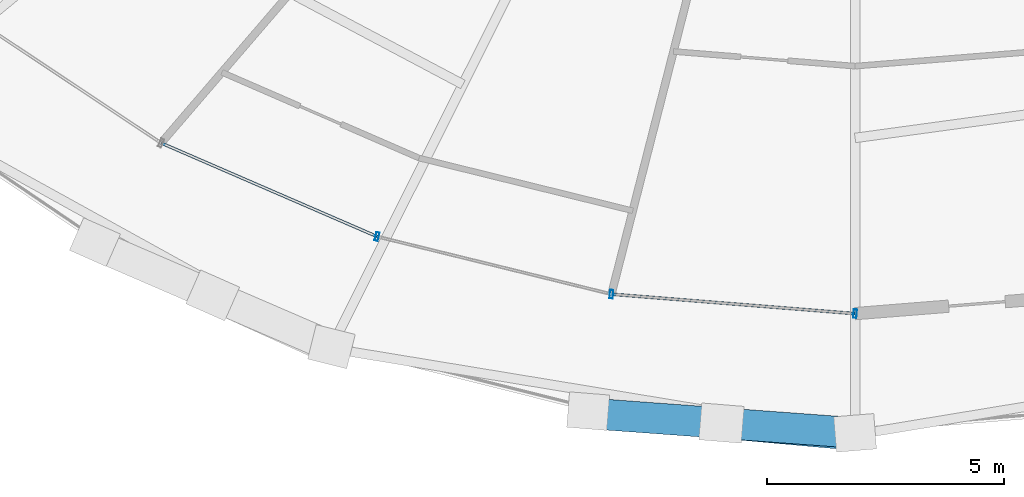
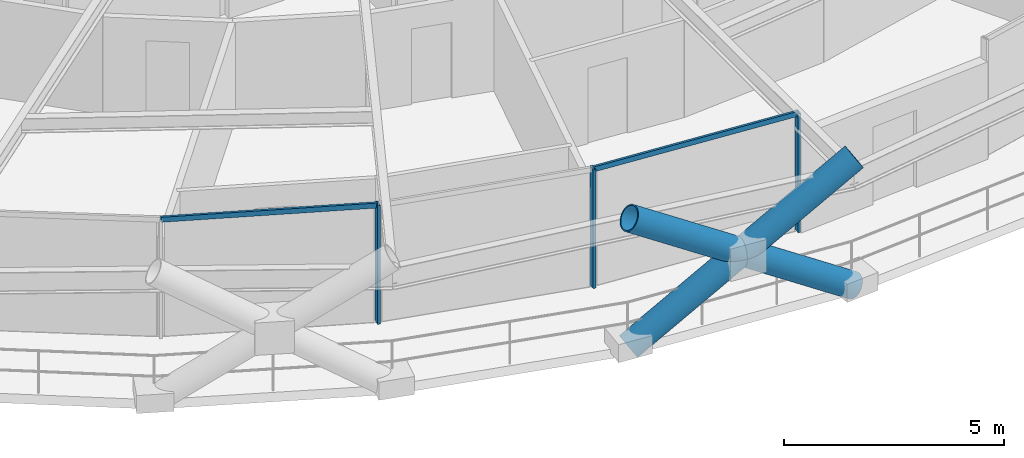
# One storey, part 4 of 19: 8 members, 1 element without a shape of its own.
"""IFC4 building model written with IfcOpenShell, lengths in metres."""

from ifc_helpers import new_model, si_unit, direction, frame, origin, origin_2d, place, context, subcontext, project, spatial, hollow_rectangle, hollow_circle, extrude, material, layer, layer_set, material_profile, profile_set, type_object, element, aggregate, save


model = new_model("IFC4")

# Units and contexts
model_context = context("Model", 3, precision=1e-05, world=origin(), true_north=direction((0.0, 1.0)))
body_context = subcontext(model_context, "Body", "Model", "MODEL_VIEW")
ifc_project = project(units=[si_unit("LENGTHUNIT", "METRE"), si_unit("AREAUNIT", "SQUARE_METRE"), si_unit("VOLUMEUNIT", "CUBIC_METRE"), si_unit("PLANEANGLEUNIT", "RADIAN"), si_unit("MASSUNIT", "GRAM", prefix="KILO")], contexts=[model_context])

# Site, building, storey
site_placement = place(None, origin())
site = spatial("IfcSite", under=ifc_project, at=site_placement, CompositionType="ELEMENT")
building_placement = place(site_placement, origin())
building = spatial("IfcBuilding", under=site, at=building_placement, Name="Veldorina Hangang Commons", CompositionType="ELEMENT")
storey_placement = place(building_placement, frame((0.0, 0.0, 70.0)))
storey = spatial("IfcBuildingStorey", under=building, at=storey_placement, Name="L17", CompositionType="ELEMENT", Elevation=70.0)

# Curtain wall, members
ifc_material_1 = material(Name="Glass Low-E Triple IGU", Category="glass")
ifc_layer = layer(ifc_material_1, 0.179931640625)
ifc_layer_set = layer_set([ifc_layer], Name="Glass Low-E Triple IGU")
curtain_wall_type = type_object("IfcCurtainWallType", Name="CW-SYS-Z1", PredefinedType="NOTDEFINED", material=ifc_layer_set)
curtain_wall_placement = place(storey_placement, origin())
curtain_wall = element("IfcCurtainWall", 1, at=curtain_wall_placement, inside=storey, type_object=curtain_wall_type, Name="L17 unitised curtain wall CW-L17-R1", PredefinedType="NOTDEFINED")
ifc_material_2 = material(Name="Aluminium Anodized AA6063-T6", Category="aluminium")
ifc_material_profile_1 = material_profile(ifc_material_2, hollow_rectangle(XDim=0.070068359375, YDim=0.179931640625, WallThickness=0.00390625, at=origin_2d()), Name="ALU-RHS-180x70x4")
ifc_profile_set_1 = profile_set([ifc_material_profile_1], Name="Aluminium Anodized AA6063-T6")
member_type_1 = type_object("IfcMemberType", Name="CW-MUL-180", PredefinedType="MULLION", material=ifc_profile_set_1)
member_1_placement = place(storey_placement, frame((21.898681640625, 4.23291015625, 0.0), z_axis=(0.0, 0.0, 1.0), x_axis=(0.971071798717, -0.238787691761, 0.0)))
member_1 = element("IfcMember", 2, at=member_1_placement, type_object=member_type_1, Name="CW-L17-R1 vertical mullion 3", PredefinedType="MULLION", context=body_context, shape_type="SweptSolid", body=[
    extrude(hollow_rectangle(XDim=0.070068359375, YDim=0.179931640625, WallThickness=0.00390625, at=origin_2d()), origin(), (0.0, 0.0, 1.0), 3.300048828125),
])
member_2_placement = place(storey_placement, frame((26.850341796875, 3.015380859375, 0.0), z_axis=(0.0, 0.0, 1.0), x_axis=(0.996829072167, -0.079572613899, 0.0)))
member_2 = element("IfcMember", 3, at=member_2_placement, type_object=member_type_1, Name="CW-L17-R1 vertical mullion 4", PredefinedType="MULLION", context=body_context, shape_type="SweptSolid", body=[
    extrude(hollow_rectangle(XDim=0.070068359375, YDim=0.179931640625, WallThickness=0.00390625, at=origin_2d()), origin(), (0.0, 0.0, 1.0), 3.300048828125),
])
member_3_placement = place(storey_placement, frame((32.0, 2.604248046875, 0.0), z_axis=(0.0, 0.0, 1.0), x_axis=(-0.996829072167, 0.079572613899, 0.0)))
member_3 = element("IfcMember", 4, at=member_3_placement, type_object=member_type_1, Name="CW-L17-R1 vertical mullion 5", PredefinedType="MULLION", context=body_context, shape_type="SweptSolid", body=[
    extrude(hollow_rectangle(XDim=0.070068359375, YDim=0.179931640625, WallThickness=0.00390625, at=origin_2d()), origin(), (0.0, 0.0, 1.0), 3.300048828125),
])
ifc_material_profile_2 = material_profile(ifc_material_2, hollow_rectangle(XDim=0.06005859375, YDim=0.139892578125, WallThickness=0.00341796875, at=origin_2d()), Name="ALU-RHS-140x60x3.5")
ifc_profile_set_2 = profile_set([ifc_material_profile_2], Name="Aluminium Anodized AA6063-T6")
member_type_2 = type_object("IfcMemberType", Name="CW-TRN-140", PredefinedType="USERDEFINED", material=ifc_profile_set_2)
member_4_placement = place(storey_placement, frame((17.335205078125, 6.2099609375, 3.260009765625), z_axis=(0.917589052817, -0.397530288343, 0.0), x_axis=(0.397530288343, 0.917589052817, 0.0)))
member_4 = element("IfcMember", 5, at=member_4_placement, type_object=member_type_2, Name="CW-L17-R1 facet 2 transom 1", ObjectType="TRANSOM", PredefinedType="USERDEFINED", context=body_context, shape_type="SweptSolid", body=[
    extrude(hollow_rectangle(XDim=0.06005859375, YDim=0.139892578125, WallThickness=0.00341796875, at=origin_2d()), origin(), (0.0, 0.0, 1.0), 4.973388671875),
])
member_5_placement = place(storey_placement, frame((26.850341796875, 3.015380859375, 3.260009765625), z_axis=(0.996828188341, -0.079583685069, 0.0), x_axis=(0.079583685069, 0.996828188341, 0.0)))
member_5 = element("IfcMember", 6, at=member_5_placement, type_object=member_type_2, Name="CW-L17-R1 facet 4 transom 1", ObjectType="TRANSOM", PredefinedType="USERDEFINED", context=body_context, shape_type="SweptSolid", body=[
    extrude(hollow_rectangle(XDim=0.06005859375, YDim=0.139892578125, WallThickness=0.00341796875, at=origin_2d()), origin(), (0.0, 0.0, 1.0), 5.166015625),
])
aggregate(curtain_wall, [member_1, member_2, member_3, member_4, member_5])

# Members
ifc_material_3 = material(Name="Steel SM460-TMC", Category="steel")
ifc_material_profile_3 = material_profile(ifc_material_3, hollow_circle(Radius=0.324951171875, WallThickness=0.031982421875, at=origin_2d()), Name="CHS-650x32")
ifc_profile_set_3 = profile_set([ifc_material_profile_3], Name="Steel SM460-TMC")
member_type_3 = type_object("IfcMemberType", Name="DG-CHS650", PredefinedType="BRACE", material=ifc_profile_set_3)
member_6_placement = place(storey_placement, frame((26.35888671875, 0.543701171875, 0.0), z_axis=(0.840563324902, -0.075412783369, 0.536438448412), x_axis=(0.089358050025, 0.995999567719, 0.0)))
element("IfcMember", 7, at=member_6_placement, inside=storey, type_object=member_type_3, Name="L17 continuous perimeter diagrid brace 23", PredefinedType="BRACE", context=body_context, shape_type="SweptSolid", body=[
    extrude(hollow_circle(Radius=0.324951171875, WallThickness=0.031982421875, at=origin_2d()), origin(), (0.0, 0.0, 1.0), 6.711181640625),
])
member_7_placement = place(storey_placement, frame((32.0, 0.084228515625, 0.0), z_axis=(-0.841768275153, 0.061660272339, 0.536306052326), x_axis=(-0.07305515292, -0.997327902263, 0.0)))
element("IfcMember", 8, at=member_7_placement, inside=storey, type_object=member_type_3, Name="L17 split perimeter diagrid lower brace 24", PredefinedType="BRACE", context=body_context, shape_type="SweptSolid", body=[
    extrude(hollow_circle(Radius=0.324951171875, WallThickness=0.031982421875, at=origin_2d()), origin(), (0.0, 0.0, 1.0), 3.353759765625),
])
member_8_placement = place(storey_placement, frame((29.177001953125, 0.291015625, 1.798583984375), z_axis=(-0.841752023965, 0.061635930949, 0.536334356691), x_axis=(-0.073027869404, -0.997329900429, 0.0)))
element("IfcMember", 9, at=member_8_placement, inside=storey, type_object=member_type_3, Name="L17 split perimeter diagrid upper brace 24", PredefinedType="BRACE", context=body_context, shape_type="SweptSolid", body=[
    extrude(hollow_circle(Radius=0.324951171875, WallThickness=0.031982421875, at=origin_2d()), origin(), (0.0, 0.0, 1.0), 3.35888671875),
])

save(model, "model.ifc")
